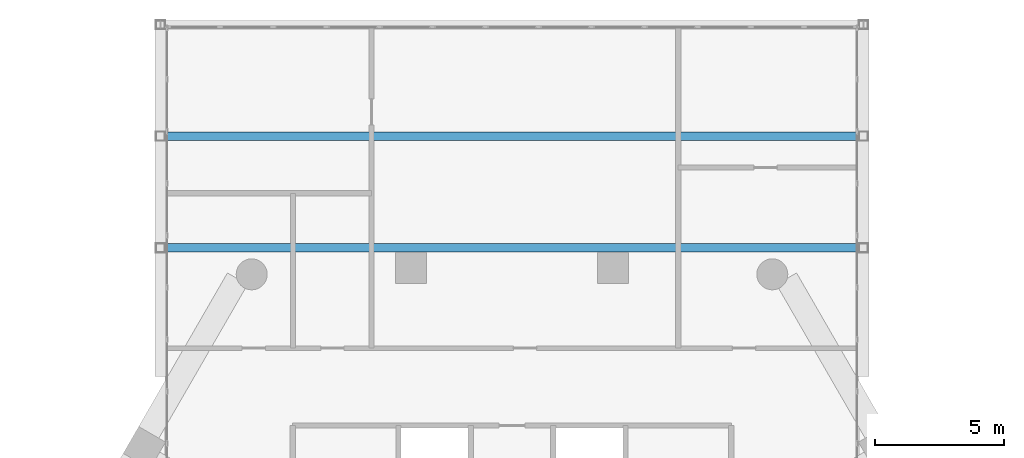
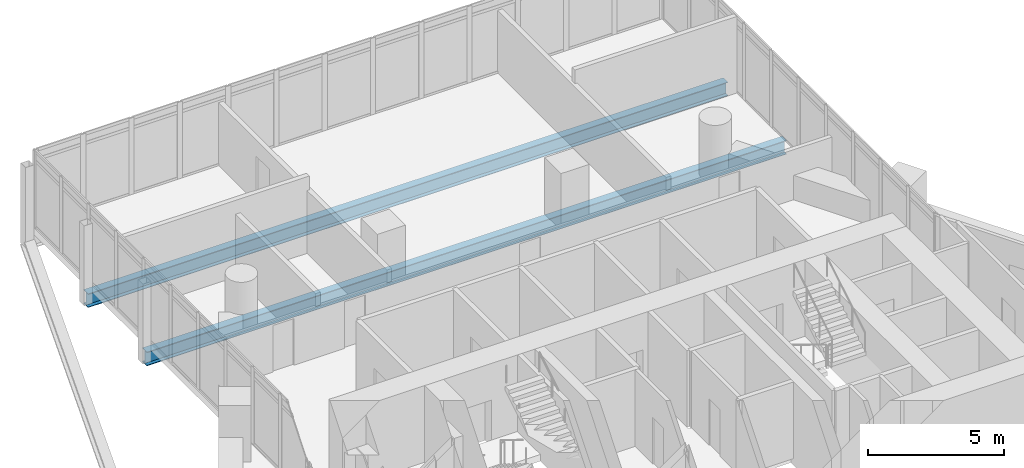
# One storey, part 19 of 37: 2 beams.
"""IFC4 building model written with IfcOpenShell, lengths in metres."""

import ifcopenshell
import ifcopenshell.guid

model = None  # the IFC model being written
_history = None  # IfcOwnerHistory: only IFC2X3 demands one
_inside = {}  # id of a spatial element -> (the spatial element, [elements in it])
_under = {}  # id of a project, library or spatial element -> (it, [spatial elements below it])
_declared = {}  # id of a project -> (the project, [libraries it declares])
_typed = {}  # id of a type object -> (the type object, [elements of that type])
_made_of = {}  # id of a material, layer set ... -> (it, [elements and type objects made of it])


def new_model(schema):
    """Start an empty IFC model of exactly this schema.

    Asked for "IFC4X3", IfcOpenShell would pick the latest addendum, in which some entities
    have other attributes; the version numbers below select the first issue.
    IFC2X3 requires an IfcOwnerHistory on every rooted entity: one is made here for all.
    """
    global model, _history
    if schema == "IFC4X3":
        model = ifcopenshell.file(schema_version=(4, 3, 0, 0))
    else:
        model = ifcopenshell.file(schema=schema)
    _inside.clear()
    _under.clear()
    _declared.clear()
    _typed.clear()
    _made_of.clear()
    _history = None
    if model.schema == "IFC2X3":
        org = make("IfcOrganization", Name="unknown")
        user = make(
            "IfcPersonAndOrganization",
            ThePerson=make("IfcPerson", FamilyName="unknown"),
            TheOrganization=org,
        )
        app = make(
            "IfcApplication",
            ApplicationDeveloper=org,
            Version="unknown",
            ApplicationFullName="unknown",
            ApplicationIdentifier="unknown",
        )
        _history = make(
            "IfcOwnerHistory",
            OwningUser=user,
            OwningApplication=app,
            ChangeAction="ADDED",
            CreationDate=0,
        )
    return model


def make(cls, **values):
    """One entity of the class cls with the attributes given. An attribute that is None is left unset."""
    return model.create_entity(
        cls, **{name: value for name, value in values.items() if value is not None}
    )


def rooted(cls, **values):
    """An entity with a GlobalId (a new one), such as an element, a storey or a relation."""
    return make(cls, GlobalId=ifcopenshell.guid.new(), OwnerHistory=_history, **values)


def si_unit(unit_type, name, prefix=None):
    """IfcSIUnit, for example si_unit("LENGTHUNIT", "METRE", prefix="MILLI")."""
    return make("IfcSIUnit", UnitType=unit_type, Prefix=prefix, Name=name)


def assignment(units):
    """IfcUnitAssignment: the units of a project."""
    return None if units is None else make("IfcUnitAssignment", Units=units)


def point(xyz):
    """IfcCartesianPoint."""
    return None if xyz is None else make("IfcCartesianPoint", Coordinates=xyz)


def direction(xyz):
    """IfcDirection."""
    return None if xyz is None else make("IfcDirection", DirectionRatios=xyz)


def frame(location, z_axis=None, x_axis=None):
    """IfcAxis2Placement3D, a coordinate frame: its origin and axes. An axis left out is left unset."""
    return make(
        "IfcAxis2Placement3D",
        Location=point(location),
        Axis=direction(z_axis),
        RefDirection=direction(x_axis),
    )


def frame_2d(location, x_axis=None):
    """IfcAxis2Placement2D, a coordinate frame in the plane: its origin and x axis."""
    return make(
        "IfcAxis2Placement2D", Location=point(location), RefDirection=direction(x_axis)
    )


def origin():
    """The frame at (0, 0, 0) with its axes left unset."""
    return frame((0.0, 0.0, 0.0))


def origin_2d():
    """The frame at (0, 0) in the plane with its x axis left unset."""
    return frame_2d((0.0, 0.0))


def place(relative_to, where):
    """IfcLocalPlacement: puts the frame where relative to a parent placement (None: the world)."""
    return make(
        "IfcLocalPlacement", PlacementRelTo=relative_to, RelativePlacement=where
    )


def context(
    kind, dimensions, precision=None, world=None, true_north=None, identifier=None
):
    """IfcGeometricRepresentationContext, for example the 3D "Model" context."""
    return make(
        "IfcGeometricRepresentationContext",
        ContextIdentifier=identifier,
        ContextType=kind,
        CoordinateSpaceDimension=dimensions,
        Precision=precision,
        WorldCoordinateSystem=world,
        TrueNorth=true_north,
    )


def subcontext(parent, identifier, kind, view, scale=None):
    """IfcGeometricRepresentationSubContext, for example "Body" below "Model"."""
    return make(
        "IfcGeometricRepresentationSubContext",
        ContextIdentifier=identifier,
        ContextType=kind,
        ParentContext=parent,
        TargetScale=scale,
        TargetView=view,
    )


def project(units=None, contexts=None):
    """IfcProject with its units and contexts."""
    return rooted(
        "IfcProject",
        Name="project",
        RepresentationContexts=contexts,
        UnitsInContext=assignment(units),
    )


def spatial(cls, under=None, at=None, **own):
    """A site, building, storey or space (cls), placed at a placement, below another one or the project."""
    s = rooted(cls, ObjectPlacement=at, **own)
    if under is not None:
        _under.setdefault(under.id(), (under, []))[1].append(s)
    return s


def profile(cls, at=None, kind="AREA", **sizes):
    """A parametric profile (cls). Its sizes go by their IFC names, for example OverallWidth=200.0."""
    return make(cls, ProfileType=kind, Position=at, **sizes)


def i_section(**sizes):
    """IfcIShapeProfileDef."""
    return profile("IfcIShapeProfileDef", **sizes)


def extrude(swept, where, along, depth):
    """IfcExtrudedAreaSolid: the profile swept, set in the frame where, extruded along a direction by depth."""
    return make(
        "IfcExtrudedAreaSolid",
        SweptArea=swept,
        Position=where,
        ExtrudedDirection=direction(along),
        Depth=depth,
    )


def shape(context_of_items, identifier, shape_type, items):
    """IfcShapeRepresentation: the items that make up one representation, for example the "Body"."""
    return make(
        "IfcShapeRepresentation",
        ContextOfItems=context_of_items,
        RepresentationIdentifier=identifier,
        RepresentationType=shape_type,
        Items=items,
    )


def material(Name=None, Category=None):
    """IfcMaterial."""
    return make("IfcMaterial", Name=Name, Category=Category)


def material_profile(
    of_material, cross_section, Name=None, Category=None, Priority=None
):
    """IfcMaterialProfile: a cross section and its material."""
    return make(
        "IfcMaterialProfile",
        Name=Name,
        Material=of_material,
        Profile=cross_section,
        Priority=Priority,
        Category=Category,
    )


def profile_set(profiles, Name=None, composite=None):
    """IfcMaterialProfileSet."""
    return make(
        "IfcMaterialProfileSet",
        Name=Name,
        MaterialProfiles=profiles,
        CompositeProfile=composite,
    )


def made_of(thing, what):
    """Note that an element or type object is made of a material, layer set ...; save() writes the relation."""
    if what is not None:
        _made_of.setdefault(what.id(), (what, []))[1].append(thing)
    return thing


def type_object(cls, material=None, **own):
    """A type object (cls), such as IfcWallType, which elements share."""
    return made_of(rooted(cls, **own), material)


def element(
    cls,
    number,
    at=None,
    inside=None,
    cuts=None,
    type_object=None,
    material=None,
    context=None,
    identifier="Body",
    shape_type=None,
    held_by="IfcProductDefinitionShape",
    body=None,
    shapes=None,
    **own,
):
    """One element of the class cls, such as IfcWall. Its Tag is "e" and its number.

    at: its placement. inside: the storey or other place that contains it. cuts: it is an
    opening in that element (IfcRelVoidsElement). A single representation is given by context,
    identifier, shape_type and body (its items); several are given by shapes. held_by: the class
    of the entity that holds the representations. save() writes the other relations.
    """
    e = rooted(cls, Tag="e%d" % number, ObjectPlacement=at, **own)
    if body is not None:
        shapes = [shape(context, identifier, shape_type, body)]
    if shapes is not None:
        e.Representation = make(held_by, Representations=shapes)
    if inside is not None:
        _inside.setdefault(inside.id(), (inside, []))[1].append(e)
    if cuts is not None:
        rooted(
            "IfcRelVoidsElement", RelatingBuildingElement=cuts, RelatedOpeningElement=e
        )
    if type_object is not None:
        _typed.setdefault(type_object.id(), (type_object, []))[1].append(e)
    return made_of(e, material)


def aggregate(whole, parts):
    """IfcRelAggregates: a whole, such as a stair, and the parts it consists of."""
    return rooted("IfcRelAggregates", RelatingObject=whole, RelatedObjects=parts)


def save(model, path):
    """Write the relations noted so far, then the file.

    IfcRelAggregates (storeys below a building ...), IfcRelContainedInSpatialStructure (elements
    in a storey), IfcRelDefinesByType, IfcRelAssociatesMaterial and IfcRelDeclares: one each for
    every whole, place, type object, material and project.
    """
    for whole, parts in _under.values():
        aggregate(whole, parts)
    for where, things in _inside.values():
        rooted(
            "IfcRelContainedInSpatialStructure",
            RelatedElements=things,
            RelatingStructure=where,
        )
    for kind, things in _typed.values():
        rooted("IfcRelDefinesByType", RelatedObjects=things, RelatingType=kind)
    for what, things in _made_of.values():
        rooted("IfcRelAssociatesMaterial", RelatedObjects=things, RelatingMaterial=what)
    for by, libraries in _declared.values():
        rooted("IfcRelDeclares", RelatingContext=by, RelatedDefinitions=libraries)
    model.write(path)


model = new_model("IFC4")

# Units and contexts
model_context = context("Model", 3, precision=1e-05, world=origin(), true_north=direction((0.0, 1.0)))
body_context = subcontext(model_context, "Body", "Model", "MODEL_VIEW")
ifc_project = project(units=[si_unit("LENGTHUNIT", "METRE"), si_unit("AREAUNIT", "SQUARE_METRE"), si_unit("VOLUMEUNIT", "CUBIC_METRE"), si_unit("PLANEANGLEUNIT", "RADIAN"), si_unit("MASSUNIT", "GRAM", prefix="KILO")], contexts=[model_context])

# Site, building, storey
site_placement = place(None, origin())
site = spatial("IfcSite", under=ifc_project, at=site_placement, CompositionType="ELEMENT")
building_placement = place(site_placement, origin())
building = spatial("IfcBuilding", under=site, at=building_placement, Name="Ostrander Bayou Hotel Tower", CompositionType="ELEMENT")
storey_placement = place(building_placement, frame((0.0, 0.0, 131.0)))
storey = spatial("IfcBuildingStorey", under=building, at=storey_placement, Name="L32", CompositionType="ELEMENT", Elevation=131.0)

# Beams
ifc_material = material(Name="Steel ASTM A992", Category="steel")
ifc_material_profile = material_profile(ifc_material, i_section(OverallWidth=0.32763671875, OverallDepth=0.621826171875, WebThickness=0.015380859375, FlangeThickness=0.0244140625, at=origin_2d()))
ifc_profile_set = profile_set([ifc_material_profile], Name="Steel ASTM A992")
beam_type = type_object("IfcBeamType", Name="TF1 bar floor beam W24x131", PredefinedType="BEAM", material=ifc_profile_set)
for number, where, z_axis, x_axis, name in (
    (1, (-13.6201171875, 24.809326171875, -0.61083984375), (1.0, 0.0, 0.0), (0.0, 1.0, 0.0), "TF1 SB3W L1-2"),
    (2, (-13.6201171875, 20.481689453125, -0.61083984375), (1.0, 0.0, 0.0), (0.0, 1.0, 0.0), "TF1 SB3W L1-3"),
):
    element("IfcBeam", number, at=place(storey_placement, frame(where, z_axis=z_axis, x_axis=x_axis)), inside=storey, type_object=beam_type, Name=name, PredefinedType="BEAM", context=body_context, shape_type="SweptSolid", body=[
        extrude(i_section(OverallWidth=0.32763671875, OverallDepth=0.621826171875, WebThickness=0.015380859375, FlangeThickness=0.0244140625, at=origin_2d()), origin(), (0.0, 0.0, 1.0), 27.240234375),
    ])

save(model, "model.ifc")
